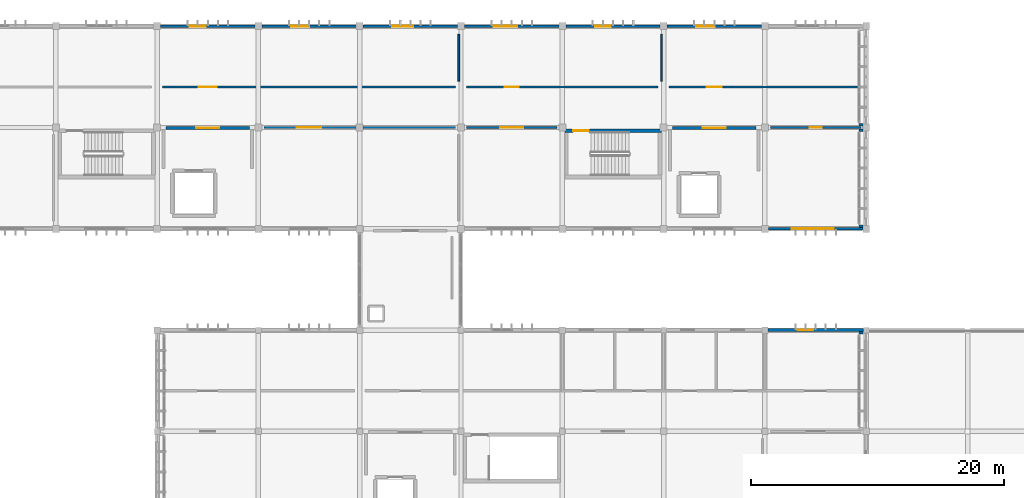
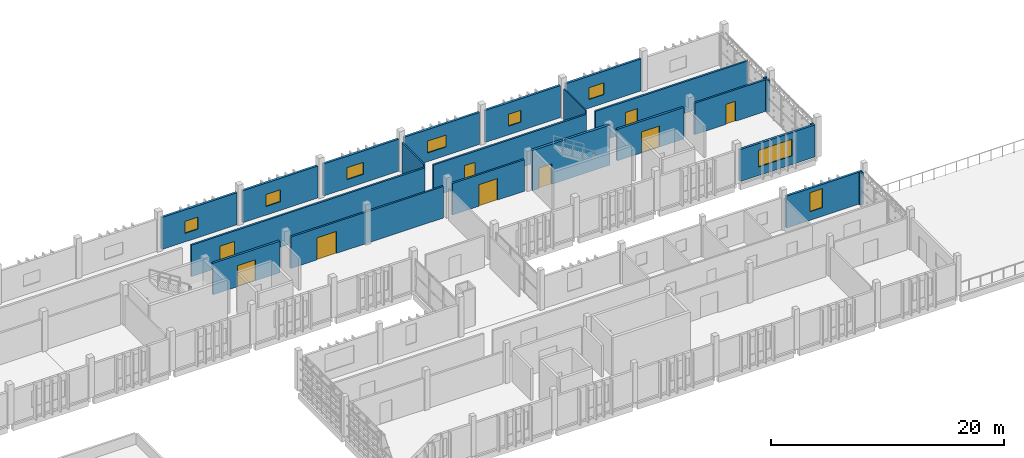
# One storey, part 24 of 32: 23 walls, 9 doors, 8 windows, 17 openings.
"""IFC4 building model written with IfcOpenShell, lengths in metres."""

from ifc_helpers import new_model, si_unit, direction, frame, frame_2d, origin, place, context, subcontext, project, spatial, rectangle, extrude, material, layer, layer_set, type_object, element, fill, save


model = new_model("IFC4")

# Units and contexts
model_context = context("Model", 3, precision=1e-05, world=origin(), true_north=direction((0.0, 1.0)))
body_context = subcontext(model_context, "Body", "Model", "MODEL_VIEW")
ifc_project = project(units=[si_unit("LENGTHUNIT", "METRE"), si_unit("AREAUNIT", "SQUARE_METRE"), si_unit("VOLUMEUNIT", "CUBIC_METRE"), si_unit("PLANEANGLEUNIT", "RADIAN"), si_unit("MASSUNIT", "GRAM", prefix="KILO")], contexts=[model_context])

# Site, building, storey
site_placement = place(None, origin())
site = spatial("IfcSite", under=ifc_project, at=site_placement, CompositionType="ELEMENT")
building_placement = place(site_placement, origin())
building = spatial("IfcBuilding", under=site, at=building_placement, Name="Jelvoka-Kovrelna Polytechnic", CompositionType="ELEMENT")
storey_placement = place(building_placement, frame((0.0, 0.0, 26.39990234375)))
storey = spatial("IfcBuildingStorey", under=building, at=storey_placement, Name="L07", CompositionType="ELEMENT", Elevation=26.39990234375)

# Wall, opening, door
ifc_material_1 = material(Name="Concrete C35/45", Category="concrete")
ifc_layer_1 = layer(ifc_material_1, 0.219970703125)
ifc_layer_set_1 = layer_set([ifc_layer_1], Name="Concrete C35/45")
wall_type_1 = type_object("IfcWallType", Name="Wall_Compartment_220", PredefinedType="PARTITIONING", material=ifc_layer_set_1)
wall_1_placement = place(storey_placement, frame((168.699951171875, 63.949951171875, 0.0), z_axis=(0.0, 0.0, 1.0), x_axis=(1.0, 0.0, 0.0)))
wall_1 = element("IfcWall", 1, at=wall_1_placement, inside=storey, type_object=wall_type_1, Name="L07 interior wall 0381", PredefinedType="PARTITIONING", context=body_context, shape_type="SweptSolid", body=[
    extrude(rectangle(XDim=6.60009765625, YDim=0.219970703125, at=frame_2d((3.300048828125, 0.0))), origin(), (0.0, 0.0, 1.0), 3.300048828125),
])
opening_1_placement = place(wall_1_placement, frame((2.39990234375, 0.0, 0.0)))
opening_1 = element("IfcOpeningElement", 2, at=opening_1_placement, cuts=wall_1, Name="Opening FD-L07-080", PredefinedType="OPENING", context=body_context, shape_type="SweptSolid", body=[
    extrude(rectangle(XDim=1.800048828125, YDim=2.199951171875, at=frame_2d((0.89990234375, 1.10009765625))), frame((0.0, 0.119873046875, 0.0), z_axis=(0.0, -1.0, 0.0), x_axis=(1.0, 0.0, 0.0)), (0.0, 0.0, 1.0), 0.239990234375),
])
ifc_material_2 = material(Name="Paired steel corridor fire door", Category="steel")
door_type_1 = type_object("IfcDoorType", Name="Door_Fire_FD03", OperationType="NOTDEFINED", PredefinedType="DOOR", material=ifc_material_2)
door_1_placement = place(opening_1_placement, origin())
door_1 = element("IfcDoor", 3, at=door_1_placement, inside=storey, type_object=door_type_1, Name="L07 interior door FD-L07-080", OperationType="DOUBLE_DOOR_SINGLE_SWING", OverallHeight=2.199951171875, OverallWidth=1.800048828125, PredefinedType="DOOR", context=body_context, shape_type="SweptSolid", body=[
    extrude(rectangle(XDim=1.800048828125, YDim=2.199951171875, at=frame_2d((0.89990234375, 1.10009765625))), frame((0.0, 0.02490234375, 0.0), z_axis=(0.0, -1.0, 0.0), x_axis=(1.0, 0.0, 0.0)), (0.0, 0.0, 1.0), 0.050048828125),
])
fill(opening_1, door_1)

wall_2_placement = place(storey_placement, frame((128.699951171875, 63.949951171875, 0.0), z_axis=(0.0, 0.0, 1.0), x_axis=(1.0, 0.0, 0.0)))
wall_2 = element("IfcWall", 4, at=wall_2_placement, inside=storey, type_object=wall_type_1, Name="L07 interior wall 0681", PredefinedType="PARTITIONING", context=body_context, shape_type="SweptSolid", body=[
    extrude(rectangle(XDim=6.60009765625, YDim=0.219970703125, at=frame_2d((3.300048828125, 0.0))), origin(), (0.0, 0.0, 1.0), 3.300048828125),
])
opening_2_placement = place(wall_2_placement, frame((2.39990234375, 0.0, 0.0)))
opening_2 = element("IfcOpeningElement", 5, at=opening_2_placement, cuts=wall_2, Name="Opening FD-L07-116", PredefinedType="OPENING", context=body_context, shape_type="SweptSolid", body=[
    extrude(rectangle(XDim=1.800048828125, YDim=2.199951171875, at=frame_2d((0.89990234375, 1.10009765625))), frame((0.0, 0.119873046875, 0.0), z_axis=(0.0, -1.0, 0.0), x_axis=(1.0, 0.0, 0.0)), (0.0, 0.0, 1.0), 0.239990234375),
])
door_2_placement = place(opening_2_placement, origin())
door_2 = element("IfcDoor", 6, at=door_2_placement, inside=storey, type_object=door_type_1, Name="L07 interior door FD-L07-116", OperationType="DOUBLE_DOOR_SINGLE_SWING", OverallHeight=2.199951171875, OverallWidth=1.800048828125, PredefinedType="DOOR", context=body_context, shape_type="SweptSolid", body=[
    extrude(rectangle(XDim=1.800048828125, YDim=2.199951171875, at=frame_2d((0.89990234375, 1.10009765625))), frame((0.0, 0.02490234375, 0.0), z_axis=(0.0, -1.0, 0.0), x_axis=(1.0, 0.0, 0.0)), (0.0, 0.0, 1.0), 0.050048828125),
])
fill(opening_2, door_2)

ifc_material_3 = material(Name="Concrete C40/50", Category="concrete")
ifc_layer_2 = layer(ifc_material_3, 0.25)
ifc_layer_set_2 = layer_set([ifc_layer_2], Name="Concrete C40/50")
wall_type_2 = type_object("IfcWallType", Name="Wall_Core_250", PredefinedType="SOLIDWALL", material=ifc_layer_set_2)
wall_3_placement = place(storey_placement, frame((160.199951171875, 63.739990234375, 0.0), z_axis=(0.0, 0.0, 1.0), x_axis=(1.0, 0.0, 0.0)))
wall_3 = element("IfcWall", 7, at=wall_3_placement, inside=storey, type_object=wall_type_2, Name="L07 interior wall 0211", PredefinedType="SOLIDWALL", context=body_context, shape_type="SweptSolid", body=[
    extrude(rectangle(XDim=7.650146484375, YDim=0.25, at=frame_2d((3.8251953125, 0.0))), origin(), (0.0, 0.0, 1.0), 4.2001953125),
])
opening_3_placement = place(wall_3_placement, frame((0.64990234375, 0.0, 0.0)))
opening_3 = element("IfcOpeningElement", 8, at=opening_3_placement, cuts=wall_3, Name="Opening SD-L07-053", PredefinedType="OPENING", context=body_context, shape_type="SweptSolid", body=[
    extrude(rectangle(XDim=1.25, YDim=2.14990234375, at=frame_2d((0.625, 1.074951171875))), frame((0.0, 0.135009765625, 0.0), z_axis=(0.0, -1.0, 0.0), x_axis=(1.0, 0.0, 0.0)), (0.0, 0.0, 1.0), 0.27001953125),
])
ifc_material_4 = material(Name="Powder-coated steel fire door", Category="steel")
door_type_2 = type_object("IfcDoorType", Name="Door_Fire_FD02", OperationType="NOTDEFINED", PredefinedType="DOOR", material=ifc_material_4)
door_3_placement = place(opening_3_placement, origin())
door_3 = element("IfcDoor", 9, at=door_3_placement, inside=storey, type_object=door_type_2, Name="L07 interior door SD-L07-053", OperationType="SINGLE_SWING_LEFT", OverallHeight=2.14990234375, OverallWidth=1.25, PredefinedType="DOOR", context=body_context, shape_type="SweptSolid", body=[
    extrude(rectangle(XDim=1.25, YDim=2.14990234375, at=frame_2d((0.625, 1.074951171875))), frame((0.0, 0.02490234375, 0.0), z_axis=(0.0, -1.0, 0.0), x_axis=(1.0, 0.0, 0.0)), (0.0, 0.0, 1.0), 0.050048828125),
])
fill(opening_3, door_3)

ifc_material_5 = material(Name="Autoclaved aerated concrete blockwork", Category="masonry")
ifc_layer_3 = layer(ifc_material_5, 0.179931640625)
ifc_layer_set_3 = layer_set([ifc_layer_3], Name="Autoclaved aerated concrete blockwork")
wall_type_3 = type_object("IfcWallType", Name="Wall_Corridor_180", PredefinedType="PARTITIONING", material=ifc_layer_set_3)
wall_4_placement = place(storey_placement, frame((136.429931640625, 64.0, 0.0), z_axis=(0.0, 0.0, 1.0), x_axis=(1.0, 0.0, 0.0)))
wall_4 = element("IfcWall", 10, at=wall_4_placement, inside=storey, type_object=wall_type_3, Name="L07 interior wall 1287", PredefinedType="PARTITIONING", context=body_context, shape_type="SweptSolid", body=[
    extrude(rectangle(XDim=15.14013671875, YDim=0.179931640625, at=frame_2d((7.570068359375, 0.0))), origin(), (0.0, 0.0, 1.0), 3.300048828125),
])
opening_4_placement = place(wall_4_placement, frame((2.610107421875, 0.0, 0.0)))
opening_4 = element("IfcOpeningElement", 11, at=opening_4_placement, cuts=wall_4, Name="Opening D-L07-452", PredefinedType="OPENING", context=body_context, shape_type="SweptSolid", body=[
    extrude(rectangle(XDim=1.919921875, YDim=2.300048828125, at=frame_2d((0.9599609375, 1.14990234375))), frame((0.0, 0.099853515625, 0.0), z_axis=(0.0, -1.0, 0.0), x_axis=(1.0, 0.0, 0.0)), (0.0, 0.0, 1.0), 0.199951171875),
])
ifc_material_6 = material(Name="Paired workshop prep double door", Category="wood")
door_type_3 = type_object("IfcDoorType", Name="Door_Int_D23", OperationType="NOTDEFINED", PredefinedType="DOOR", material=ifc_material_6)
door_4_placement = place(opening_4_placement, origin())
door_4 = element("IfcDoor", 12, at=door_4_placement, inside=storey, type_object=door_type_3, Name="L07 interior door D-L07-452", OperationType="DOUBLE_DOOR_SINGLE_SWING", OverallHeight=2.300048828125, OverallWidth=1.919921875, PredefinedType="DOOR", context=body_context, shape_type="SweptSolid", body=[
    extrude(rectangle(XDim=1.919921875, YDim=2.300048828125, at=frame_2d((0.9599609375, 1.14990234375))), frame((0.0, 0.02490234375, 0.0), z_axis=(0.0, -1.0, 0.0), x_axis=(1.0, 0.0, 0.0)), (0.0, 0.0, 1.0), 0.050048828125),
])
fill(opening_4, door_4)

wall_5_placement = place(storey_placement, frame((152.429931640625, 64.0, 0.0), z_axis=(0.0, 0.0, 1.0), x_axis=(1.0, 0.0, 0.0)))
wall_5 = element("IfcWall", 13, at=wall_5_placement, inside=storey, type_object=wall_type_3, Name="L07 interior wall 1289", PredefinedType="PARTITIONING", context=body_context, shape_type="SweptSolid", body=[
    extrude(rectangle(XDim=7.14013671875, YDim=0.179931640625, at=frame_2d((3.570068359375, 0.0))), origin(), (0.0, 0.0, 1.0), 3.300048828125),
])
opening_5_placement = place(wall_5_placement, frame((2.659912109375, 0.0, 0.0)))
opening_5 = element("IfcOpeningElement", 14, at=opening_5_placement, cuts=wall_5, Name="Opening D-L07-453", PredefinedType="OPENING", context=body_context, shape_type="SweptSolid", body=[
    extrude(rectangle(XDim=1.820068359375, YDim=2.25, at=frame_2d((0.91015625, 1.125))), frame((0.0, 0.099853515625, 0.0), z_axis=(0.0, -1.0, 0.0), x_axis=(1.0, 0.0, 0.0)), (0.0, 0.0, 1.0), 0.199951171875),
])
ifc_material_7 = material(Name="Paired hardwood fire-resisting assembly door", Category="wood")
door_type_4 = type_object("IfcDoorType", Name="Door_Fire_FD30_10", OperationType="NOTDEFINED", PredefinedType="DOOR", material=ifc_material_7)
door_5_placement = place(opening_5_placement, origin())
door_5 = element("IfcDoor", 15, at=door_5_placement, inside=storey, type_object=door_type_4, Name="L07 interior door D-L07-453", OperationType="DOUBLE_DOOR_SINGLE_SWING", OverallHeight=2.25, OverallWidth=1.820068359375, PredefinedType="DOOR", context=body_context, shape_type="SweptSolid", body=[
    extrude(rectangle(XDim=1.820068359375, YDim=2.25, at=frame_2d((0.91015625, 1.125))), frame((0.0, 0.02490234375, 0.0), z_axis=(0.0, -1.0, 0.0), x_axis=(1.0, 0.0, 0.0)), (0.0, 0.0, 1.0), 0.050048828125),
])
fill(opening_5, door_5)

wall_6_placement = place(storey_placement, frame((176.429931640625, 64.0, 0.0), z_axis=(0.0, 0.0, 1.0), x_axis=(1.0, 0.0, 0.0)))
wall_6 = element("IfcWall", 16, at=wall_6_placement, inside=storey, type_object=wall_type_3, Name="L07 interior wall 1290", PredefinedType="PARTITIONING", context=body_context, shape_type="SweptSolid", body=[
    extrude(rectangle(XDim=7.14013671875, YDim=0.179931640625, at=frame_2d((3.570068359375, 0.0))), origin(), (0.0, 0.0, 1.0), 3.300048828125),
])
opening_6_placement = place(wall_6_placement, frame((3.094970703125, 0.0, 0.0)))
opening_6 = element("IfcOpeningElement", 17, at=opening_6_placement, cuts=wall_6, Name="Opening D-L07-454", PredefinedType="OPENING", context=body_context, shape_type="SweptSolid", body=[
    extrude(rectangle(XDim=0.949951171875, YDim=2.10009765625, at=frame_2d((0.47509765625, 1.050048828125))), frame((0.0, 0.099853515625, 0.0), z_axis=(0.0, -1.0, 0.0), x_axis=(1.0, 0.0, 0.0)), (0.0, 0.0, 1.0), 0.199951171875),
])
ifc_material_8 = material(Name="Hardwood fire-resisting laboratory door", Category="wood")
door_type_5 = type_object("IfcDoorType", Name="Door_Fire_FD30_01", OperationType="NOTDEFINED", PredefinedType="DOOR", material=ifc_material_8)
door_6_placement = place(opening_6_placement, origin())
door_6 = element("IfcDoor", 18, at=door_6_placement, inside=storey, type_object=door_type_5, Name="L07 interior door D-L07-454", OperationType="SINGLE_SWING_RIGHT", OverallHeight=2.10009765625, OverallWidth=0.949951171875, PredefinedType="DOOR", context=body_context, shape_type="SweptSolid", body=[
    extrude(rectangle(XDim=0.949951171875, YDim=2.10009765625, at=frame_2d((0.47509765625, 1.050048828125))), frame((0.0, 0.02490234375, 0.0), z_axis=(0.0, -1.0, 0.0), x_axis=(1.0, 0.0, 0.0)), (0.0, 0.0, 1.0), 0.050048828125),
])
fill(opening_6, door_6)

wall_7_placement = place(storey_placement, frame((128.429931640625, 67.199951171875, 0.0), z_axis=(0.0, 0.0, 1.0), x_axis=(1.0, 0.0, 0.0)))
wall_7 = element("IfcWall", 19, at=wall_7_placement, inside=storey, type_object=wall_type_3, Name="L07 interior wall 1295", PredefinedType="PARTITIONING", context=body_context, shape_type="SweptSolid", body=[
    extrude(rectangle(XDim=23.14013671875, YDim=0.179931640625, at=frame_2d((11.570068359375, 0.0))), origin(), (0.0, 0.0, 1.0), 3.300048828125),
])
opening_7_placement = place(wall_7_placement, frame((2.85009765625, 0.0, 0.0)))
opening_7 = element("IfcOpeningElement", 20, at=opening_7_placement, cuts=wall_7, Name="Opening D-L07-458", PredefinedType="OPENING", context=body_context, shape_type="SweptSolid", body=[
    extrude(rectangle(XDim=1.43994140625, YDim=2.199951171875, at=frame_2d((0.719970703125, 1.10009765625))), frame((0.0, 0.099853515625, 0.0), z_axis=(0.0, -1.0, 0.0), x_axis=(1.0, 0.0, 0.0)), (0.0, 0.0, 1.0), 0.199951171875),
])
ifc_material_9 = material(Name="Paired hardwood fire-resisting lab door", Category="wood")
door_type_6 = type_object("IfcDoorType", Name="Door_Fire_FD30_06", OperationType="NOTDEFINED", PredefinedType="DOOR", material=ifc_material_9)
door_7_placement = place(opening_7_placement, origin())
door_7 = element("IfcDoor", 21, at=door_7_placement, inside=storey, type_object=door_type_6, Name="L07 interior door D-L07-458", OperationType="DOUBLE_DOOR_SINGLE_SWING", OverallHeight=2.199951171875, OverallWidth=1.43994140625, PredefinedType="DOOR", context=body_context, shape_type="SweptSolid", body=[
    extrude(rectangle(XDim=1.43994140625, YDim=2.199951171875, at=frame_2d((0.719970703125, 1.10009765625))), frame((0.0, 0.02490234375, 0.0), z_axis=(0.0, -1.0, 0.0), x_axis=(1.0, 0.0, 0.0)), (0.0, 0.0, 1.0), 0.050048828125),
])
fill(opening_7, door_7)

wall_8_placement = place(storey_placement, frame((152.429931640625, 67.199951171875, 0.0), z_axis=(0.0, 0.0, 1.0), x_axis=(1.0, 0.0, 0.0)))
wall_8 = element("IfcWall", 22, at=wall_8_placement, inside=storey, type_object=wall_type_3, Name="L07 interior wall 1297", PredefinedType="PARTITIONING", context=body_context, shape_type="SweptSolid", body=[
    extrude(rectangle(XDim=15.14013671875, YDim=0.179931640625, at=frame_2d((7.570068359375, 0.0))), origin(), (0.0, 0.0, 1.0), 3.300048828125),
])
opening_8_placement = place(wall_8_placement, frame((3.030029296875, 0.0, 0.0)))
opening_8 = element("IfcOpeningElement", 23, at=opening_8_placement, cuts=wall_8, Name="Opening D-L07-459", PredefinedType="OPENING", context=body_context, shape_type="SweptSolid", body=[
    extrude(rectangle(XDim=1.080078125, YDim=2.14990234375, at=frame_2d((0.5400390625, 1.074951171875))), frame((0.0, 0.099853515625, 0.0), z_axis=(0.0, -1.0, 0.0), x_axis=(1.0, 0.0, 0.0)), (0.0, 0.0, 1.0), 0.199951171875),
])
ifc_material_10 = material(Name="Hardwood acoustic seminar door", Category="wood")
door_type_7 = type_object("IfcDoorType", Name="Door_Int_D10", OperationType="NOTDEFINED", PredefinedType="DOOR", material=ifc_material_10)
door_8_placement = place(opening_8_placement, origin())
door_8 = element("IfcDoor", 24, at=door_8_placement, inside=storey, type_object=door_type_7, Name="L07 interior door D-L07-459", OperationType="SINGLE_SWING_RIGHT", OverallHeight=2.14990234375, OverallWidth=1.080078125, PredefinedType="DOOR", context=body_context, shape_type="SweptSolid", body=[
    extrude(rectangle(XDim=1.080078125, YDim=2.14990234375, at=frame_2d((0.5400390625, 1.074951171875))), frame((0.0, 0.02490234375, 0.0), z_axis=(0.0, -1.0, 0.0), x_axis=(1.0, 0.0, 0.0)), (0.0, 0.0, 1.0), 0.050048828125),
])
fill(opening_8, door_8)

wall_9_placement = place(storey_placement, frame((168.429931640625, 67.199951171875, 0.0), z_axis=(0.0, 0.0, 1.0), x_axis=(1.0, 0.0, 0.0)))
wall_9 = element("IfcWall", 25, at=wall_9_placement, inside=storey, type_object=wall_type_3, Name="L07 interior wall 1299", PredefinedType="PARTITIONING", context=body_context, shape_type="SweptSolid", body=[
    extrude(rectangle(XDim=15.14013671875, YDim=0.179931640625, at=frame_2d((7.570068359375, 0.0))), origin(), (0.0, 0.0, 1.0), 3.300048828125),
])
opening_9_placement = place(wall_9_placement, frame((2.969970703125, 0.0, 0.0)))
opening_9 = element("IfcOpeningElement", 26, at=opening_9_placement, cuts=wall_9, Name="Opening D-L07-460", PredefinedType="OPENING", context=body_context, shape_type="SweptSolid", body=[
    extrude(rectangle(XDim=1.199951171875, YDim=2.14990234375, at=frame_2d((0.60009765625, 1.074951171875))), frame((0.0, 0.099853515625, 0.0), z_axis=(0.0, -1.0, 0.0), x_axis=(1.0, 0.0, 0.0)), (0.0, 0.0, 1.0), 0.199951171875),
])
ifc_material_11 = material(Name="Laboratory vision-panel door", Category="wood")
door_type_8 = type_object("IfcDoorType", Name="Door_Int_D12", OperationType="NOTDEFINED", PredefinedType="DOOR", material=ifc_material_11)
door_9_placement = place(opening_9_placement, origin())
door_9 = element("IfcDoor", 27, at=door_9_placement, inside=storey, type_object=door_type_8, Name="L07 interior door D-L07-460", OperationType="SINGLE_SWING_LEFT", OverallHeight=2.14990234375, OverallWidth=1.199951171875, PredefinedType="DOOR", context=body_context, shape_type="SweptSolid", body=[
    extrude(rectangle(XDim=1.199951171875, YDim=2.14990234375, at=frame_2d((0.60009765625, 1.074951171875))), frame((0.0, 0.02490234375, 0.0), z_axis=(0.0, -1.0, 0.0), x_axis=(1.0, 0.0, 0.0)), (0.0, 0.0, 1.0), 0.050048828125),
])
fill(opening_9, door_9)

# Wall, opening, window
ifc_material_12 = material(Name="Precast concrete C40/50", Category="concrete")
ifc_layer_4 = layer(ifc_material_12, 0.219970703125)
ifc_layer_set_4 = layer_set([ifc_layer_4], Name="Precast concrete C40/50")
wall_type_4 = type_object("IfcWallType", Name="Wall_Ext_White_220", PredefinedType="STANDARD", material=ifc_layer_set_4)
wall_10_placement = place(storey_placement, frame((176.2470703125, 48.0, 0.0), z_axis=(0.0, 0.0, 1.0), x_axis=(1.0, 0.0, 0.0)))
wall_10 = element("IfcWall", 28, at=wall_10_placement, inside=storey, type_object=wall_type_4, Name="L07 exterior wall 0567", PredefinedType="STANDARD", context=body_context, shape_type="SweptSolid", body=[
    extrude(rectangle(XDim=7.531005859375, YDim=0.219970703125, at=frame_2d((3.765625, 0.0))), origin(), (0.0, 0.0, 1.0), 3.335205078125),
])
opening_10_placement = place(wall_10_placement, frame((2.3330078125, 0.0, 0.89990234375)))
opening_10 = element("IfcOpeningElement", 29, at=opening_10_placement, cuts=wall_10, Name="Opening W-L07-256", PredefinedType="OPENING", context=body_context, shape_type="SweptSolid", body=[
    extrude(rectangle(XDim=1.25, YDim=2.0, at=frame_2d((0.625, 1.0))), frame((0.0, 0.119873046875, 0.0), z_axis=(0.0, -1.0, 0.0), x_axis=(1.0, 0.0, 0.0)), (0.0, 0.0, 1.0), 0.239990234375),
])
ifc_material_13 = material(Name="Thermally broken anodised aluminium and low-e glazing", Category="aluminium")
window_type_1 = type_object("IfcWindowType", Name="Win_Casement_W52", PartitioningType="SINGLE_PANEL", PredefinedType="WINDOW", material=ifc_material_13)
window_1_placement = place(opening_10_placement, origin())
window_1 = element("IfcWindow", 30, at=window_1_placement, inside=storey, type_object=window_type_1, Name="L07 aluminium casement window W-L07-256", OverallHeight=2.0, OverallWidth=1.25, PartitioningType="SINGLE_PANEL", PredefinedType="WINDOW", context=body_context, shape_type="SweptSolid", body=[
    extrude(rectangle(XDim=1.25, YDim=2.0, at=frame_2d((0.625, 1.0))), frame((0.0, 0.030029296875, 0.0), z_axis=(0.0, -1.0, 0.0), x_axis=(1.0, 0.0, 0.0)), (0.0, 0.0, 1.0), 0.06005859375),
])
fill(opening_10, window_1)

wall_11_placement = place(storey_placement, frame((128.27197265625, 72.0, 0.0), z_axis=(0.0, 0.0, 1.0), x_axis=(1.0, 0.0, 0.0)))
wall_11 = element("IfcWall", 31, at=wall_11_placement, inside=storey, type_object=wall_type_4, Name="L07 exterior wall 0798", PredefinedType="STANDARD", context=body_context, shape_type="SweptSolid", body=[
    extrude(rectangle(XDim=7.4560546875, YDim=0.219970703125, at=frame_2d((3.72802734375, 0.0))), origin(), (0.0, 0.0, 1.0), 3.35009765625),
])
opening_11_placement = place(wall_11_placement, frame((2.30810546875, 0.0, 0.89990234375)))
opening_11 = element("IfcOpeningElement", 32, at=opening_11_placement, cuts=wall_11, Name="Opening W-L07-452", PredefinedType="OPENING", context=body_context, shape_type="SweptSolid", body=[
    extrude(rectangle(XDim=1.25, YDim=1.25, at=frame_2d((0.625, 0.625))), frame((0.0, 0.119873046875, 0.0), z_axis=(0.0, -1.0, 0.0), x_axis=(1.0, 0.0, 0.0)), (0.0, 0.0, 1.0), 0.239990234375),
])
ifc_material_14 = material(Name="Thermally broken anodised aluminium and low-e glazing", Category="aluminium")
window_type_2 = type_object("IfcWindowType", Name="Win_Casement_W02", PartitioningType="SINGLE_PANEL", PredefinedType="WINDOW", material=ifc_material_14)
window_2_placement = place(opening_11_placement, origin())
window_2 = element("IfcWindow", 33, at=window_2_placement, inside=storey, type_object=window_type_2, Name="L07 aluminium casement window W-L07-452", OverallHeight=1.25, OverallWidth=1.25, PartitioningType="SINGLE_PANEL", PredefinedType="WINDOW", context=body_context, shape_type="SweptSolid", body=[
    extrude(rectangle(XDim=1.25, YDim=1.25, at=frame_2d((0.625, 0.625))), frame((0.0, 0.030029296875, 0.0), z_axis=(0.0, -1.0, 0.0), x_axis=(1.0, 0.0, 0.0)), (0.0, 0.0, 1.0), 0.06005859375),
])
fill(opening_11, window_2)

wall_12_placement = place(storey_placement, frame((136.27197265625, 72.0, 0.0), z_axis=(0.0, 0.0, 1.0), x_axis=(1.0, 0.0, 0.0)))
wall_12 = element("IfcWall", 34, at=wall_12_placement, inside=storey, type_object=wall_type_4, Name="L07 exterior wall 0800", PredefinedType="STANDARD", context=body_context, shape_type="SweptSolid", body=[
    extrude(rectangle(XDim=7.4560546875, YDim=0.219970703125, at=frame_2d((3.72802734375, 0.0))), origin(), (0.0, 0.0, 1.0), 3.35009765625),
])
opening_12_placement = place(wall_12_placement, frame((2.30810546875, 0.0, 0.89990234375)))
opening_12 = element("IfcOpeningElement", 35, at=opening_12_placement, cuts=wall_12, Name="Opening W-L07-454", PredefinedType="OPENING", context=body_context, shape_type="SweptSolid", body=[
    extrude(rectangle(XDim=1.449951171875, YDim=1.25, at=frame_2d((0.72509765625, 0.625))), frame((0.0, 0.119873046875, 0.0), z_axis=(0.0, -1.0, 0.0), x_axis=(1.0, 0.0, 0.0)), (0.0, 0.0, 1.0), 0.239990234375),
])
ifc_material_15 = material(Name="Thermally broken anodised aluminium and low-e glazing", Category="aluminium")
window_type_3 = type_object("IfcWindowType", Name="Win_Casement_W03", PartitioningType="SINGLE_PANEL", PredefinedType="WINDOW", material=ifc_material_15)
window_3_placement = place(opening_12_placement, origin())
window_3 = element("IfcWindow", 36, at=window_3_placement, inside=storey, type_object=window_type_3, Name="L07 aluminium casement window W-L07-454", OverallHeight=1.25, OverallWidth=1.449951171875, PartitioningType="SINGLE_PANEL", PredefinedType="WINDOW", context=body_context, shape_type="SweptSolid", body=[
    extrude(rectangle(XDim=1.449951171875, YDim=1.25, at=frame_2d((0.72509765625, 0.625))), frame((0.0, 0.030029296875, 0.0), z_axis=(0.0, -1.0, 0.0), x_axis=(1.0, 0.0, 0.0)), (0.0, 0.0, 1.0), 0.06005859375),
])
fill(opening_12, window_3)

wall_13_placement = place(storey_placement, frame((144.27197265625, 72.0, 0.0), z_axis=(0.0, 0.0, 1.0), x_axis=(1.0, 0.0, 0.0)))
wall_13 = element("IfcWall", 37, at=wall_13_placement, inside=storey, type_object=wall_type_4, Name="L07 exterior wall 0801", PredefinedType="STANDARD", context=body_context, shape_type="SweptSolid", body=[
    extrude(rectangle(XDim=7.4560546875, YDim=0.219970703125, at=frame_2d((3.72802734375, 0.0))), origin(), (0.0, 0.0, 1.0), 3.35009765625),
])
opening_13_placement = place(wall_13_placement, frame((2.30810546875, 0.0, 0.89990234375)))
opening_13 = element("IfcOpeningElement", 38, at=opening_13_placement, cuts=wall_13, Name="Opening W-L07-455", PredefinedType="OPENING", context=body_context, shape_type="SweptSolid", body=[
    extrude(rectangle(XDim=1.64990234375, YDim=1.25, at=frame_2d((0.824951171875, 0.625))), frame((0.0, 0.119873046875, 0.0), z_axis=(0.0, -1.0, 0.0), x_axis=(1.0, 0.0, 0.0)), (0.0, 0.0, 1.0), 0.239990234375),
])
ifc_material_16 = material(Name="Thermally broken anodised aluminium and low-e glazing", Category="aluminium")
window_type_4 = type_object("IfcWindowType", Name="Win_Casement_W04", PartitioningType="DOUBLE_PANEL_VERTICAL", PredefinedType="WINDOW", material=ifc_material_16)
window_4_placement = place(opening_13_placement, origin())
window_4 = element("IfcWindow", 39, at=window_4_placement, inside=storey, type_object=window_type_4, Name="L07 aluminium casement window W-L07-455", OverallHeight=1.25, OverallWidth=1.64990234375, PartitioningType="DOUBLE_PANEL_VERTICAL", PredefinedType="WINDOW", context=body_context, shape_type="SweptSolid", body=[
    extrude(rectangle(XDim=1.64990234375, YDim=1.25, at=frame_2d((0.824951171875, 0.625))), frame((0.0, 0.030029296875, 0.0), z_axis=(0.0, -1.0, 0.0), x_axis=(1.0, 0.0, 0.0)), (0.0, 0.0, 1.0), 0.06005859375),
])
fill(opening_13, window_4)

wall_14_placement = place(storey_placement, frame((152.27197265625, 72.0, 0.0), z_axis=(0.0, 0.0, 1.0), x_axis=(1.0, 0.0, 0.0)))
wall_14 = element("IfcWall", 40, at=wall_14_placement, inside=storey, type_object=wall_type_4, Name="L07 exterior wall 0803", PredefinedType="STANDARD", context=body_context, shape_type="SweptSolid", body=[
    extrude(rectangle(XDim=7.4560546875, YDim=0.219970703125, at=frame_2d((3.72802734375, 0.0))), origin(), (0.0, 0.0, 1.0), 3.35009765625),
])
opening_14_placement = place(wall_14_placement, frame((2.30810546875, 0.0, 0.89990234375)))
opening_14 = element("IfcOpeningElement", 41, at=opening_14_placement, cuts=wall_14, Name="Opening W-L07-457", PredefinedType="OPENING", context=body_context, shape_type="SweptSolid", body=[
    extrude(rectangle(XDim=1.85009765625, YDim=1.25, at=frame_2d((0.925048828125, 0.625))), frame((0.0, 0.119873046875, 0.0), z_axis=(0.0, -1.0, 0.0), x_axis=(1.0, 0.0, 0.0)), (0.0, 0.0, 1.0), 0.239990234375),
])
ifc_material_17 = material(Name="Thermally broken anodised aluminium and low-e glazing", Category="aluminium")
window_type_5 = type_object("IfcWindowType", Name="Win_Casement_W05", PartitioningType="DOUBLE_PANEL_VERTICAL", PredefinedType="WINDOW", material=ifc_material_17)
window_5_placement = place(opening_14_placement, origin())
window_5 = element("IfcWindow", 42, at=window_5_placement, inside=storey, type_object=window_type_5, Name="L07 aluminium casement window W-L07-457", OverallHeight=1.25, OverallWidth=1.85009765625, PartitioningType="DOUBLE_PANEL_VERTICAL", PredefinedType="WINDOW", context=body_context, shape_type="SweptSolid", body=[
    extrude(rectangle(XDim=1.85009765625, YDim=1.25, at=frame_2d((0.925048828125, 0.625))), frame((0.0, 0.030029296875, 0.0), z_axis=(0.0, -1.0, 0.0), x_axis=(1.0, 0.0, 0.0)), (0.0, 0.0, 1.0), 0.06005859375),
])
fill(opening_14, window_5)

wall_15_placement = place(storey_placement, frame((160.27197265625, 72.0, 0.0), z_axis=(0.0, 0.0, 1.0), x_axis=(1.0, 0.0, 0.0)))
wall_15 = element("IfcWall", 43, at=wall_15_placement, inside=storey, type_object=wall_type_4, Name="L07 exterior wall 0805", PredefinedType="STANDARD", context=body_context, shape_type="SweptSolid", body=[
    extrude(rectangle(XDim=7.4560546875, YDim=0.219970703125, at=frame_2d((3.72802734375, 0.0))), origin(), (0.0, 0.0, 1.0), 3.35009765625),
])
opening_15_placement = place(wall_15_placement, frame((2.30810546875, 0.0, 0.89990234375)))
opening_15 = element("IfcOpeningElement", 44, at=opening_15_placement, cuts=wall_15, Name="Opening W-L07-459", PredefinedType="OPENING", context=body_context, shape_type="SweptSolid", body=[
    extrude(rectangle(XDim=1.25, YDim=1.25, at=frame_2d((0.625, 0.625))), frame((0.0, 0.119873046875, 0.0), z_axis=(0.0, -1.0, 0.0), x_axis=(1.0, 0.0, 0.0)), (0.0, 0.0, 1.0), 0.239990234375),
])
window_6_placement = place(opening_15_placement, origin())
window_6 = element("IfcWindow", 45, at=window_6_placement, inside=storey, type_object=window_type_2, Name="L07 aluminium casement window W-L07-459", OverallHeight=1.25, OverallWidth=1.25, PartitioningType="SINGLE_PANEL", PredefinedType="WINDOW", context=body_context, shape_type="SweptSolid", body=[
    extrude(rectangle(XDim=1.25, YDim=1.25, at=frame_2d((0.625, 0.625))), frame((0.0, 0.030029296875, 0.0), z_axis=(0.0, -1.0, 0.0), x_axis=(1.0, 0.0, 0.0)), (0.0, 0.0, 1.0), 0.06005859375),
])
fill(opening_15, window_6)

wall_16_placement = place(storey_placement, frame((168.27197265625, 72.0, 0.0), z_axis=(0.0, 0.0, 1.0), x_axis=(1.0, 0.0, 0.0)))
wall_16 = element("IfcWall", 46, at=wall_16_placement, inside=storey, type_object=wall_type_4, Name="L07 exterior wall 0807", PredefinedType="STANDARD", context=body_context, shape_type="SweptSolid", body=[
    extrude(rectangle(XDim=7.4560546875, YDim=0.219970703125, at=frame_2d((3.72802734375, 0.0))), origin(), (0.0, 0.0, 1.0), 3.35009765625),
])
opening_16_placement = place(wall_16_placement, frame((2.30810546875, 0.0, 0.89990234375)))
opening_16 = element("IfcOpeningElement", 47, at=opening_16_placement, cuts=wall_16, Name="Opening W-L07-461", PredefinedType="OPENING", context=body_context, shape_type="SweptSolid", body=[
    extrude(rectangle(XDim=1.449951171875, YDim=1.25, at=frame_2d((0.72509765625, 0.625))), frame((0.0, 0.119873046875, 0.0), z_axis=(0.0, -1.0, 0.0), x_axis=(1.0, 0.0, 0.0)), (0.0, 0.0, 1.0), 0.239990234375),
])
window_7_placement = place(opening_16_placement, origin())
window_7 = element("IfcWindow", 48, at=window_7_placement, inside=storey, type_object=window_type_3, Name="L07 aluminium casement window W-L07-461", OverallHeight=1.25, OverallWidth=1.449951171875, PartitioningType="SINGLE_PANEL", PredefinedType="WINDOW", context=body_context, shape_type="SweptSolid", body=[
    extrude(rectangle(XDim=1.449951171875, YDim=1.25, at=frame_2d((0.72509765625, 0.625))), frame((0.0, 0.030029296875, 0.0), z_axis=(0.0, -1.0, 0.0), x_axis=(1.0, 0.0, 0.0)), (0.0, 0.0, 1.0), 0.06005859375),
])
fill(opening_16, window_7)

wall_17_placement = place(storey_placement, frame((183.72802734375, 56.0, 0.0), z_axis=(0.0, 0.0, 1.0), x_axis=(-1.0, 0.0, 0.0)))
wall_17 = element("IfcWall", 49, at=wall_17_placement, inside=storey, type_object=wall_type_4, Name="L07 exterior wall 0808", PredefinedType="STANDARD", context=body_context, shape_type="SweptSolid", body=[
    extrude(rectangle(XDim=7.4560546875, YDim=0.219970703125, at=frame_2d((3.72802734375, 0.0))), origin(), (0.0, 0.0, 1.0), 3.35009765625),
])
opening_17_placement = place(wall_17_placement, frame((2.30810546875, 0.0, 0.89990234375)))
opening_17 = element("IfcOpeningElement", 50, at=opening_17_placement, cuts=wall_17, Name="Opening W-L07-462", PredefinedType="OPENING", context=body_context, shape_type="SweptSolid", body=[
    extrude(rectangle(XDim=3.300048828125, YDim=1.75, at=frame_2d((1.64990234375, 0.875))), frame((0.0, 0.119873046875, 0.0), z_axis=(0.0, -1.0, 0.0), x_axis=(1.0, 0.0, 0.0)), (0.0, 0.0, 1.0), 0.239990234375),
])
ifc_material_18 = material(Name="Thermally broken anodised aluminium and low-e glazing", Category="aluminium")
window_type_6 = type_object("IfcWindowType", Name="Win_Casement_W62", PartitioningType="DOUBLE_PANEL_VERTICAL", PredefinedType="WINDOW", material=ifc_material_18)
window_8_placement = place(opening_17_placement, origin())
window_8 = element("IfcWindow", 51, at=window_8_placement, inside=storey, type_object=window_type_6, Name="L07 aluminium casement window W-L07-462", OverallHeight=1.75, OverallWidth=3.300048828125, PartitioningType="DOUBLE_PANEL_VERTICAL", PredefinedType="WINDOW", context=body_context, shape_type="SweptSolid", body=[
    extrude(rectangle(XDim=3.300048828125, YDim=1.75, at=frame_2d((1.64990234375, 0.875))), frame((0.0, 0.030029296875, 0.0), z_axis=(0.0, -1.0, 0.0), x_axis=(1.0, 0.0, 0.0)), (0.0, 0.0, 1.0), 0.06005859375),
])
fill(opening_17, window_8)

# Walls
ifc_material_19 = material(Name="Precast concrete C40/50", Category="concrete")
ifc_layer_5 = layer(ifc_material_19, 0.199951171875)
ifc_layer_set_5 = layer_set([ifc_layer_5], Name="Precast concrete C40/50")
wall_type_5 = type_object("IfcWallType", Name="Wall_Parapet_200", PredefinedType="PARAPET", material=ifc_layer_set_5)
for number, where, z_axis, x_axis, name in (
    (52, (183.760009765625, 47.780029296875, 0.0), (0.0, 0.0, 1.0), (-1.0, 0.0, 0.0), "L07 exterior wall 0574"),
    (53, (183.760009765625, 56.219970703125, 0.0), (0.0, 0.0, 1.0), (-1.0, 0.0, 0.0), "L07 exterior wall 0814"),
    (54, (183.760009765625, 63.780029296875, 0.0), (0.0, 0.0, 1.0), (-1.0, 0.0, 0.0), "L07 exterior wall 0815"),
    (55, (183.760009765625, 64.219970703125, 0.0), (0.0, 0.0, 1.0), (-1.0, 0.0, 0.0), "L07 exterior wall 0816"),
):
    element("IfcWall", number, at=place(storey_placement, frame(where, z_axis=z_axis, x_axis=x_axis)), inside=storey, type_object=wall_type_5, Name=name, PredefinedType="PARAPET", context=body_context, shape_type="SweptSolid", body=[
        extrude(rectangle(XDim=0.320068359375, YDim=0.199951171875, at=frame_2d((0.16015625, 0.0))), origin(), (0.0, 0.0, 1.0), 3.35009765625),
    ])
ifc_material_20 = material(Name="Acoustic gypsum stud partition")
ifc_layer_6 = layer(ifc_material_20, 0.125)
ifc_layer_set_6 = layer_set([ifc_layer_6], Name="Acoustic gypsum stud partition")
wall_type_6 = type_object("IfcWallType", Name="Wall_Partition_125", PredefinedType="PARTITIONING", material=ifc_layer_set_6)
wall_18_placement = place(storey_placement, frame((167.820068359375, 67.669921875, 0.0), z_axis=(0.0, 0.0, 1.0), x_axis=(0.0, 1.0, 0.0)))
element("IfcWall", 56, at=wall_18_placement, inside=storey, type_object=wall_type_6, Name="L07 interior wall 1298", PredefinedType="PARTITIONING", context=body_context, shape_type="SweptSolid", body=[
    extrude(rectangle(XDim=3.7099609375, YDim=0.125, at=frame_2d((1.85498046875, 0.0))), origin(), (0.0, 0.0, 1.0), 3.300048828125),
])
ifc_material_21 = material(Name="Autoclaved aerated concrete blockwork", Category="masonry")
ifc_layer_7 = layer(ifc_material_21, 0.14990234375)
ifc_layer_set_7 = layer_set([ifc_layer_7], Name="Autoclaved aerated concrete blockwork")
wall_type_7 = type_object("IfcWallType", Name="Wall_Partition_150", PredefinedType="PARTITIONING", material=ifc_layer_set_7)
wall_19_placement = place(storey_placement, frame((151.820068359375, 67.669921875, 0.0), z_axis=(0.0, 0.0, 1.0), x_axis=(0.0, 1.0, 0.0)))
element("IfcWall", 57, at=wall_19_placement, inside=storey, type_object=wall_type_7, Name="L07 interior wall 1296", PredefinedType="PARTITIONING", context=body_context, shape_type="SweptSolid", body=[
    extrude(rectangle(XDim=3.7099609375, YDim=0.14990234375, at=frame_2d((1.85498046875, 0.0))), origin(), (0.0, 0.0, 1.0), 3.300048828125),
])

save(model, "model.ifc")
